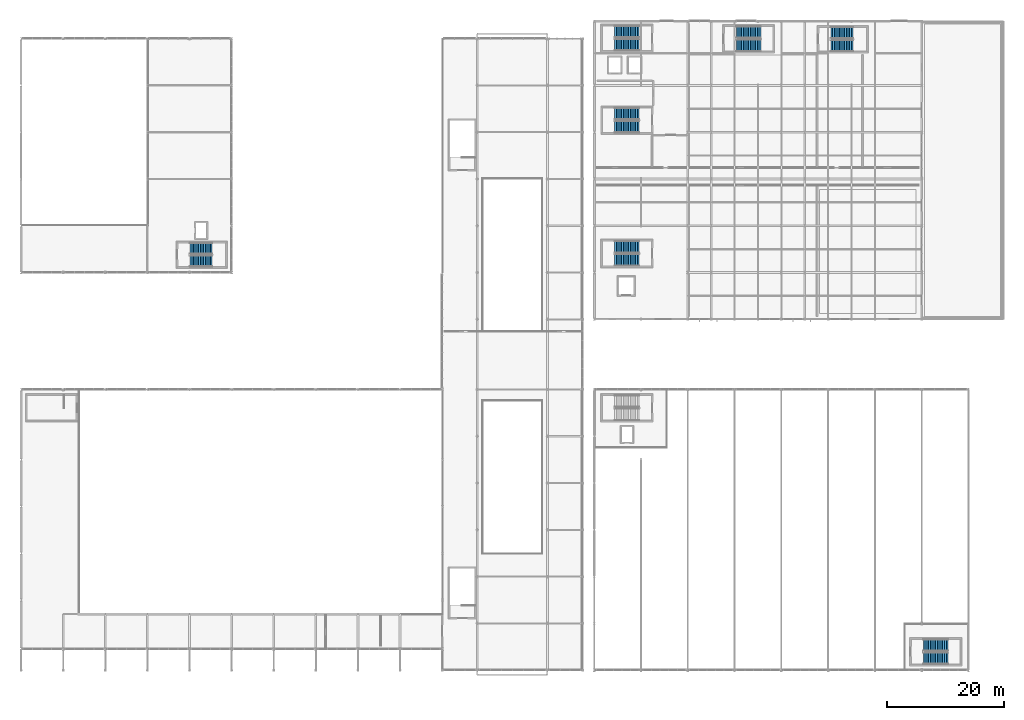
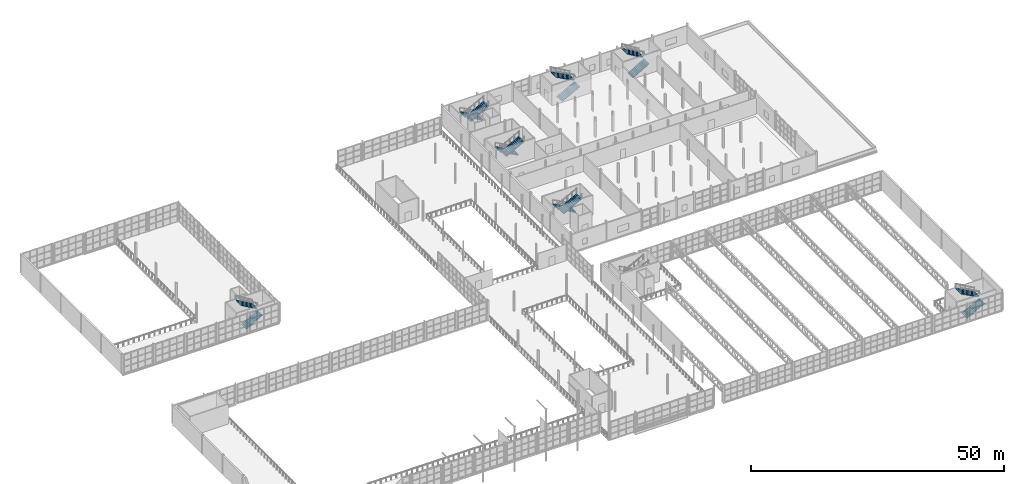
# One storey, part 129 of 143: 14 stair flights, 7 elements without a shape of their own.
"""IFC4 building model written with IfcOpenShell, lengths in metres."""

from ifc_helpers import new_model, si_unit, derived_unit, direction, frame, origin, place, context, subcontext, project, spatial, polyline, outline, extrude, material, type_object, element, aggregate, save


model = new_model("IFC4")

# Units and contexts
model_context = context("Model", 3, precision=1e-05, world=origin(), true_north=direction((0.0, 1.0)))
body_context = subcontext(model_context, "Body", "Model", "MODEL_VIEW")
ifc_project = project(units=[si_unit("LENGTHUNIT", "METRE"), si_unit("AREAUNIT", "SQUARE_METRE"), si_unit("VOLUMEUNIT", "CUBIC_METRE"), si_unit("PLANEANGLEUNIT", "RADIAN"), si_unit("MASSUNIT", "GRAM", prefix="KILO"), derived_unit("THERMALTRANSMITTANCEUNIT", [(si_unit("POWERUNIT", "WATT"), 1), (si_unit("LENGTHUNIT", "METRE"), -2), (si_unit("THERMODYNAMICTEMPERATUREUNIT", "KELVIN"), -1)])], contexts=[model_context])

# Site, building, storey
site_placement = place(None, origin())
site = spatial("IfcSite", under=ifc_project, at=site_placement, CompositionType="ELEMENT")
building_placement = place(site_placement, origin())
building = spatial("IfcBuilding", under=site, at=building_placement, Name="Keldorne Ridge Multi-Sports Centre", CompositionType="ELEMENT")
storey_placement = place(building_placement, frame((0.0, 0.0, 4.800048828125)))
storey = spatial("IfcBuildingStorey", under=building, at=storey_placement, Name="L01", CompositionType="ELEMENT", Elevation=4.800048828125)

# Stair, stair flights
ifc_material = material(Name="Concrete C35/45", Category="concrete")
stair_type = type_object("IfcStairType", Name="STR-S01", PredefinedType="HALF_TURN_STAIR", material=ifc_material)
stair_1_placement = place(storey_placement, origin())
stair_1 = element("IfcStair", 1, at=stair_1_placement, inside=storey, type_object=stair_type, Name="L01 North-East Primary Clinical Core C1", PredefinedType="HALF_TURN_STAIR")
stair_flight_type = type_object("IfcStairFlightType", Name="STF-F01", PredefinedType="STRAIGHT", material=ifc_material)
stair_flight_1_placement = place(storey_placement, frame((111.699951171875, 115.169921875, 0.0), z_axis=(0.0, 0.0, 1.0), x_axis=(-1.0, 0.0, 0.0)))
stair_flight_1 = element("IfcStairFlight", 2, at=stair_flight_1_placement, type_object=stair_flight_type, Name="ST-01 flight 1", NumberOfRisers=15, NumberOfTreads=14, PredefinedType="STRAIGHT", RiserHeight=0.16, TreadLength=0.3, context=body_context, shape_type="SweptSolid", body=[
    extrude(outline(polyline([(0.0, 0.0), (0.0, 0.159912109375), (0.300048828125, 0.159912109375), (0.300048828125, 0.320068359375), (0.60009765625, 0.320068359375), (0.60009765625, 0.47998046875), (0.89990234375, 0.47998046875), (0.89990234375, 0.639892578125), (1.199951171875, 0.639892578125), (1.199951171875, 0.800048828125), (1.5, 0.800048828125), (1.5, 0.9599609375), (1.800048828125, 0.9599609375), (1.800048828125, 1.1201171875), (2.10009765625, 1.1201171875), (2.10009765625, 1.280029296875), (2.39990234375, 1.280029296875), (2.39990234375, 1.43994140625), (2.699951171875, 1.43994140625), (2.699951171875, 1.60009765625), (3.0, 1.60009765625), (3.0, 1.760009765625), (3.300048828125, 1.760009765625), (3.300048828125, 1.919921875), (3.60009765625, 1.919921875), (3.60009765625, 2.080078125), (3.89990234375, 2.080078125), (3.89990234375, 2.239990234375), (4.199951171875, 2.239990234375), (4.199951171875, 2.39990234375), (4.199951171875, 2.070068359375), (0.318603515625, 0.0), (0.0, 0.0)])), frame((0.0, 1.030029296875, 0.0), z_axis=(0.0, -1.0, 0.0), x_axis=(1.0, 0.0, 0.0)), (0.0, 0.0, 1.0), 2.06005859375),
])
stair_flight_2_placement = place(storey_placement, frame((107.5, 112.929931640625, 2.39990234375), z_axis=(0.0, 0.0, 1.0), x_axis=(1.0, 0.0, 0.0)))
stair_flight_2 = element("IfcStairFlight", 3, at=stair_flight_2_placement, type_object=stair_flight_type, Name="ST-01 flight 2", NumberOfRisers=15, NumberOfTreads=14, PredefinedType="STRAIGHT", RiserHeight=0.16, TreadLength=0.3, context=body_context, shape_type="SweptSolid", body=[
    extrude(outline(polyline([(0.0, 0.0), (0.0, 0.159912109375), (0.300048828125, 0.159912109375), (0.300048828125, 0.320068359375), (0.60009765625, 0.320068359375), (0.60009765625, 0.47998046875), (0.89990234375, 0.47998046875), (0.89990234375, 0.639892578125), (1.199951171875, 0.639892578125), (1.199951171875, 0.800048828125), (1.5, 0.800048828125), (1.5, 0.9599609375), (1.800048828125, 0.9599609375), (1.800048828125, 1.1201171875), (2.10009765625, 1.1201171875), (2.10009765625, 1.280029296875), (2.39990234375, 1.280029296875), (2.39990234375, 1.43994140625), (2.699951171875, 1.43994140625), (2.699951171875, 1.60009765625), (3.0, 1.60009765625), (3.0, 1.760009765625), (3.300048828125, 1.760009765625), (3.300048828125, 1.919921875), (3.60009765625, 1.919921875), (3.60009765625, 2.080078125), (3.89990234375, 2.080078125), (3.89990234375, 2.239990234375), (4.199951171875, 2.239990234375), (4.199951171875, 2.39990234375), (4.199951171875, 2.070068359375), (0.318603515625, 0.0), (0.0, 0.0)])), frame((0.0, 1.030029296875, 0.0), z_axis=(0.0, -1.0, 0.0), x_axis=(1.0, 0.0, 0.0)), (0.0, 0.0, 1.0), 2.06005859375),
])
aggregate(stair_1, [stair_flight_1, stair_flight_2])

stair_2_placement = place(storey_placement, origin())
stair_2 = element("IfcStair", 4, at=stair_2_placement, inside=storey, type_object=stair_type, Name="L01 East Wing South Core C2", PredefinedType="HALF_TURN_STAIR")
stair_flight_3_placement = place(storey_placement, frame((111.699951171875, 78.3701171875, 0.0), z_axis=(0.0, 0.0, 1.0), x_axis=(-1.0, 0.0, 0.0)))
stair_flight_3 = element("IfcStairFlight", 5, at=stair_flight_3_placement, type_object=stair_flight_type, Name="ST-02 flight 1", NumberOfRisers=15, NumberOfTreads=14, PredefinedType="STRAIGHT", RiserHeight=0.16, TreadLength=0.3, context=body_context, shape_type="SweptSolid", body=[
    extrude(outline(polyline([(0.0, 0.0), (0.0, 0.159912109375), (0.300048828125, 0.159912109375), (0.300048828125, 0.320068359375), (0.60009765625, 0.320068359375), (0.60009765625, 0.47998046875), (0.89990234375, 0.47998046875), (0.89990234375, 0.639892578125), (1.199951171875, 0.639892578125), (1.199951171875, 0.800048828125), (1.5, 0.800048828125), (1.5, 0.9599609375), (1.800048828125, 0.9599609375), (1.800048828125, 1.1201171875), (2.10009765625, 1.1201171875), (2.10009765625, 1.280029296875), (2.39990234375, 1.280029296875), (2.39990234375, 1.43994140625), (2.699951171875, 1.43994140625), (2.699951171875, 1.60009765625), (3.0, 1.60009765625), (3.0, 1.760009765625), (3.300048828125, 1.760009765625), (3.300048828125, 1.919921875), (3.60009765625, 1.919921875), (3.60009765625, 2.080078125), (3.89990234375, 2.080078125), (3.89990234375, 2.239990234375), (4.199951171875, 2.239990234375), (4.199951171875, 2.39990234375), (4.199951171875, 2.070068359375), (0.318603515625, 0.0), (0.0, 0.0)])), frame((0.0, 1.030029296875, 0.0), z_axis=(0.0, -1.0, 0.0), x_axis=(1.0, 0.0, 0.0)), (0.0, 0.0, 1.0), 2.06005859375),
])
stair_flight_4_placement = place(storey_placement, frame((107.5, 76.1298828125, 2.39990234375), z_axis=(0.0, 0.0, 1.0), x_axis=(1.0, 0.0, 0.0)))
stair_flight_4 = element("IfcStairFlight", 6, at=stair_flight_4_placement, type_object=stair_flight_type, Name="ST-02 flight 2", NumberOfRisers=15, NumberOfTreads=14, PredefinedType="STRAIGHT", RiserHeight=0.16, TreadLength=0.3, context=body_context, shape_type="SweptSolid", body=[
    extrude(outline(polyline([(0.0, 0.0), (0.0, 0.159912109375), (0.300048828125, 0.159912109375), (0.300048828125, 0.320068359375), (0.60009765625, 0.320068359375), (0.60009765625, 0.47998046875), (0.89990234375, 0.47998046875), (0.89990234375, 0.639892578125), (1.199951171875, 0.639892578125), (1.199951171875, 0.800048828125), (1.5, 0.800048828125), (1.5, 0.9599609375), (1.800048828125, 0.9599609375), (1.800048828125, 1.1201171875), (2.10009765625, 1.1201171875), (2.10009765625, 1.280029296875), (2.39990234375, 1.280029296875), (2.39990234375, 1.43994140625), (2.699951171875, 1.43994140625), (2.699951171875, 1.60009765625), (3.0, 1.60009765625), (3.0, 1.760009765625), (3.300048828125, 1.760009765625), (3.300048828125, 1.919921875), (3.60009765625, 1.919921875), (3.60009765625, 2.080078125), (3.89990234375, 2.080078125), (3.89990234375, 2.239990234375), (4.199951171875, 2.239990234375), (4.199951171875, 2.39990234375), (4.199951171875, 2.070068359375), (0.318603515625, 0.0), (0.0, 0.0)])), frame((0.0, 1.030029296875, 0.0), z_axis=(0.0, -1.0, 0.0), x_axis=(1.0, 0.0, 0.0)), (0.0, 0.0, 1.0), 2.06005859375),
])
aggregate(stair_2, [stair_flight_3, stair_flight_4])

stair_3_placement = place(storey_placement, origin())
stair_3 = element("IfcStair", 7, at=stair_3_placement, inside=storey, type_object=stair_type, Name="L01 East Wing Studio Core C3", PredefinedType="HALF_TURN_STAIR")
stair_flight_5_placement = place(storey_placement, frame((144.5, 112.800048828125, 0.0), z_axis=(0.0, 0.0, 1.0), x_axis=(1.0, 0.0, 0.0)))
stair_flight_5 = element("IfcStairFlight", 8, at=stair_flight_5_placement, type_object=stair_flight_type, Name="ST-03 flight 1", NumberOfRisers=14, NumberOfTreads=13, PredefinedType="STRAIGHT", RiserHeight=0.171428571, TreadLength=0.29, context=body_context, shape_type="SweptSolid", body=[
    extrude(outline(polyline([(0.0, 0.0), (0.0, 0.17138671875), (0.2900390625, 0.17138671875), (0.2900390625, 0.3427734375), (0.580078125, 0.3427734375), (0.580078125, 0.514404296875), (0.8701171875, 0.514404296875), (0.8701171875, 0.685791015625), (1.159912109375, 0.685791015625), (1.159912109375, 0.857177734375), (1.449951171875, 0.857177734375), (1.449951171875, 1.028564453125), (1.739990234375, 1.028564453125), (1.739990234375, 1.199951171875), (2.030029296875, 1.199951171875), (2.030029296875, 1.371337890625), (2.320068359375, 1.371337890625), (2.320068359375, 1.54296875), (2.610107421875, 1.54296875), (2.610107421875, 1.71435546875), (2.89990234375, 1.71435546875), (2.89990234375, 1.8857421875), (3.18994140625, 1.8857421875), (3.18994140625, 2.05712890625), (3.47998046875, 2.05712890625), (3.47998046875, 2.228515625), (3.77001953125, 2.228515625), (3.77001953125, 2.39990234375), (3.77001953125, 2.054443359375), (0.294677734375, 0.0), (0.0, 0.0)])), frame((0.0, 1.0, 0.0), z_axis=(0.0, -1.0, 0.0), x_axis=(1.0, 0.0, 0.0)), (0.0, 0.0, 1.0), 2.0),
])
stair_flight_6_placement = place(storey_placement, frame((148.27001953125, 114.97998046875, 2.39990234375), z_axis=(0.0, 0.0, 1.0), x_axis=(-1.0, 0.0, 0.0)))
stair_flight_6 = element("IfcStairFlight", 9, at=stair_flight_6_placement, type_object=stair_flight_type, Name="ST-03 flight 2", NumberOfRisers=14, NumberOfTreads=13, PredefinedType="STRAIGHT", RiserHeight=0.171428571, TreadLength=0.29, context=body_context, shape_type="SweptSolid", body=[
    extrude(outline(polyline([(0.0, 0.0), (0.0, 0.17138671875), (0.2900390625, 0.17138671875), (0.2900390625, 0.3427734375), (0.580078125, 0.3427734375), (0.580078125, 0.514404296875), (0.8701171875, 0.514404296875), (0.8701171875, 0.685791015625), (1.159912109375, 0.685791015625), (1.159912109375, 0.857177734375), (1.449951171875, 0.857177734375), (1.449951171875, 1.028564453125), (1.739990234375, 1.028564453125), (1.739990234375, 1.199951171875), (2.030029296875, 1.199951171875), (2.030029296875, 1.371337890625), (2.320068359375, 1.371337890625), (2.320068359375, 1.54296875), (2.610107421875, 1.54296875), (2.610107421875, 1.71435546875), (2.89990234375, 1.71435546875), (2.89990234375, 1.8857421875), (3.18994140625, 1.8857421875), (3.18994140625, 2.05712890625), (3.47998046875, 2.05712890625), (3.47998046875, 2.228515625), (3.77001953125, 2.228515625), (3.77001953125, 2.39990234375), (3.77001953125, 2.054443359375), (0.294677734375, 0.0), (0.0, 0.0)])), frame((0.0, 1.0, 0.0), z_axis=(0.0, -1.0, 0.0), x_axis=(1.0, 0.0, 0.0)), (0.0, 0.0, 1.0), 2.0),
])
aggregate(stair_3, [stair_flight_5, stair_flight_6])

stair_4_placement = place(storey_placement, origin())
stair_4 = element("IfcStair", 10, at=stair_4_placement, inside=storey, type_object=stair_type, Name="L01 South-East Courts Escape Core C5", PredefinedType="HALF_TURN_STAIR")
stair_flight_7_placement = place(storey_placement, frame((160.300048828125, 8.030029296875, 0.0), z_axis=(0.0, 0.0, 1.0), x_axis=(1.0, 0.0, 0.0)))
stair_flight_7 = element("IfcStairFlight", 11, at=stair_flight_7_placement, type_object=stair_flight_type, Name="ST-05 flight 1", NumberOfRisers=15, NumberOfTreads=14, PredefinedType="STRAIGHT", RiserHeight=0.16, TreadLength=0.3, context=body_context, shape_type="SweptSolid", body=[
    extrude(outline(polyline([(0.0, 0.0), (0.0, 0.159912109375), (0.300048828125, 0.159912109375), (0.300048828125, 0.320068359375), (0.60009765625, 0.320068359375), (0.60009765625, 0.47998046875), (0.89990234375, 0.47998046875), (0.89990234375, 0.639892578125), (1.199951171875, 0.639892578125), (1.199951171875, 0.800048828125), (1.5, 0.800048828125), (1.5, 0.9599609375), (1.800048828125, 0.9599609375), (1.800048828125, 1.1201171875), (2.10009765625, 1.1201171875), (2.10009765625, 1.280029296875), (2.39990234375, 1.280029296875), (2.39990234375, 1.43994140625), (2.699951171875, 1.43994140625), (2.699951171875, 1.60009765625), (3.0, 1.60009765625), (3.0, 1.760009765625), (3.300048828125, 1.760009765625), (3.300048828125, 1.919921875), (3.60009765625, 1.919921875), (3.60009765625, 2.080078125), (3.89990234375, 2.080078125), (3.89990234375, 2.239990234375), (4.199951171875, 2.239990234375), (4.199951171875, 2.39990234375), (4.199951171875, 2.070068359375), (0.318603515625, 0.0), (0.0, 0.0)])), frame((0.0, 1.030029296875, 0.0), z_axis=(0.0, -1.0, 0.0), x_axis=(1.0, 0.0, 0.0)), (0.0, 0.0, 1.0), 2.06005859375),
])
stair_flight_8_placement = place(storey_placement, frame((164.5, 10.27001953125, 2.39990234375), z_axis=(0.0, 0.0, 1.0), x_axis=(-1.0, 0.0, 0.0)))
stair_flight_8 = element("IfcStairFlight", 12, at=stair_flight_8_placement, type_object=stair_flight_type, Name="ST-05 flight 2", NumberOfRisers=15, NumberOfTreads=14, PredefinedType="STRAIGHT", RiserHeight=0.16, TreadLength=0.3, context=body_context, shape_type="SweptSolid", body=[
    extrude(outline(polyline([(0.0, 0.0), (0.0, 0.159912109375), (0.300048828125, 0.159912109375), (0.300048828125, 0.320068359375), (0.60009765625, 0.320068359375), (0.60009765625, 0.47998046875), (0.89990234375, 0.47998046875), (0.89990234375, 0.639892578125), (1.199951171875, 0.639892578125), (1.199951171875, 0.800048828125), (1.5, 0.800048828125), (1.5, 0.9599609375), (1.800048828125, 0.9599609375), (1.800048828125, 1.1201171875), (2.10009765625, 1.1201171875), (2.10009765625, 1.280029296875), (2.39990234375, 1.280029296875), (2.39990234375, 1.43994140625), (2.699951171875, 1.43994140625), (2.699951171875, 1.60009765625), (3.0, 1.60009765625), (3.0, 1.760009765625), (3.300048828125, 1.760009765625), (3.300048828125, 1.919921875), (3.60009765625, 1.919921875), (3.60009765625, 2.080078125), (3.89990234375, 2.080078125), (3.89990234375, 2.239990234375), (4.199951171875, 2.239990234375), (4.199951171875, 2.39990234375), (4.199951171875, 2.070068359375), (0.318603515625, 0.0), (0.0, 0.0)])), frame((0.0, 1.030029296875, 0.0), z_axis=(0.0, -1.0, 0.0), x_axis=(1.0, 0.0, 0.0)), (0.0, 0.0, 1.0), 2.06005859375),
])
aggregate(stair_4, [stair_flight_7, stair_flight_8])

stair_5_placement = place(storey_placement, origin())
stair_5 = element("IfcStair", 13, at=stair_5_placement, inside=storey, type_object=stair_type, Name="L01 Climbing & Concourse Core C6", PredefinedType="HALF_TURN_STAIR")
stair_flight_9_placement = place(storey_placement, frame((34.89990234375, 75.97509765625, 0.0), z_axis=(0.0, 0.0, 1.0), x_axis=(1.0, 0.0, 0.0)))
stair_flight_9 = element("IfcStairFlight", 14, at=stair_flight_9_placement, type_object=stair_flight_type, Name="ST-06 flight 1", NumberOfRisers=14, NumberOfTreads=13, PredefinedType="STRAIGHT", RiserHeight=0.171428571, TreadLength=0.29, context=body_context, shape_type="SweptSolid", body=[
    extrude(outline(polyline([(0.0, 0.0), (0.0, 0.17138671875), (0.2900390625, 0.17138671875), (0.2900390625, 0.3427734375), (0.580078125, 0.3427734375), (0.580078125, 0.514404296875), (0.8701171875, 0.514404296875), (0.8701171875, 0.685791015625), (1.159912109375, 0.685791015625), (1.159912109375, 0.857177734375), (1.449951171875, 0.857177734375), (1.449951171875, 1.028564453125), (1.739990234375, 1.028564453125), (1.739990234375, 1.199951171875), (2.030029296875, 1.199951171875), (2.030029296875, 1.371337890625), (2.320068359375, 1.371337890625), (2.320068359375, 1.54296875), (2.610107421875, 1.54296875), (2.610107421875, 1.71435546875), (2.89990234375, 1.71435546875), (2.89990234375, 1.8857421875), (3.18994140625, 1.8857421875), (3.18994140625, 2.05712890625), (3.47998046875, 2.05712890625), (3.47998046875, 2.228515625), (3.77001953125, 2.228515625), (3.77001953125, 2.39990234375), (3.77001953125, 2.054443359375), (0.294677734375, 0.0), (0.0, 0.0)])), frame((0.0, 0.97509765625, 0.0), z_axis=(0.0, -1.0, 0.0), x_axis=(1.0, 0.0, 0.0)), (0.0, 0.0, 1.0), 1.949951171875),
])
stair_flight_10_placement = place(storey_placement, frame((38.669921875, 78.10498046875, 2.39990234375), z_axis=(0.0, 0.0, 1.0), x_axis=(-1.0, 0.0, 0.0)))
stair_flight_10 = element("IfcStairFlight", 15, at=stair_flight_10_placement, type_object=stair_flight_type, Name="ST-06 flight 2", NumberOfRisers=14, NumberOfTreads=13, PredefinedType="STRAIGHT", RiserHeight=0.171428571, TreadLength=0.29, context=body_context, shape_type="SweptSolid", body=[
    extrude(outline(polyline([(0.0, 0.0), (0.0, 0.17138671875), (0.2900390625, 0.17138671875), (0.2900390625, 0.3427734375), (0.580078125, 0.3427734375), (0.580078125, 0.514404296875), (0.8701171875, 0.514404296875), (0.8701171875, 0.685791015625), (1.159912109375, 0.685791015625), (1.159912109375, 0.857177734375), (1.449951171875, 0.857177734375), (1.449951171875, 1.028564453125), (1.739990234375, 1.028564453125), (1.739990234375, 1.199951171875), (2.030029296875, 1.199951171875), (2.030029296875, 1.371337890625), (2.320068359375, 1.371337890625), (2.320068359375, 1.54296875), (2.610107421875, 1.54296875), (2.610107421875, 1.71435546875), (2.89990234375, 1.71435546875), (2.89990234375, 1.8857421875), (3.18994140625, 1.8857421875), (3.18994140625, 2.05712890625), (3.47998046875, 2.05712890625), (3.47998046875, 2.228515625), (3.77001953125, 2.228515625), (3.77001953125, 2.39990234375), (3.77001953125, 2.054443359375), (0.294677734375, 0.0), (0.0, 0.0)])), frame((0.0, 0.97509765625, 0.0), z_axis=(0.0, -1.0, 0.0), x_axis=(1.0, 0.0, 0.0)), (0.0, 0.0, 1.0), 1.949951171875),
])
aggregate(stair_5, [stair_flight_9, stair_flight_10])

stair_6_placement = place(storey_placement, origin())
stair_6 = element("IfcStair", 16, at=stair_6_placement, inside=storey, type_object=stair_type, Name="L01 Upper Studio Escape Stair ST-10", PredefinedType="HALF_TURN_STAIR")
stair_flight_11_placement = place(storey_placement, frame((128.300048828125, 112.830078125, 0.0), z_axis=(0.0, 0.0, 1.0), x_axis=(1.0, 0.0, 0.0)))
stair_flight_11 = element("IfcStairFlight", 17, at=stair_flight_11_placement, type_object=stair_flight_type, Name="ST-10 flight 1", NumberOfRisers=15, NumberOfTreads=14, PredefinedType="STRAIGHT", RiserHeight=0.16, TreadLength=0.3, context=body_context, shape_type="SweptSolid", body=[
    extrude(outline(polyline([(0.0, 0.0), (0.0, 0.159912109375), (0.300048828125, 0.159912109375), (0.300048828125, 0.320068359375), (0.60009765625, 0.320068359375), (0.60009765625, 0.47998046875), (0.89990234375, 0.47998046875), (0.89990234375, 0.639892578125), (1.199951171875, 0.639892578125), (1.199951171875, 0.800048828125), (1.5, 0.800048828125), (1.5, 0.9599609375), (1.800048828125, 0.9599609375), (1.800048828125, 1.1201171875), (2.10009765625, 1.1201171875), (2.10009765625, 1.280029296875), (2.39990234375, 1.280029296875), (2.39990234375, 1.43994140625), (2.699951171875, 1.43994140625), (2.699951171875, 1.60009765625), (3.0, 1.60009765625), (3.0, 1.760009765625), (3.300048828125, 1.760009765625), (3.300048828125, 1.919921875), (3.60009765625, 1.919921875), (3.60009765625, 2.080078125), (3.89990234375, 2.080078125), (3.89990234375, 2.239990234375), (4.199951171875, 2.239990234375), (4.199951171875, 2.39990234375), (4.199951171875, 2.070068359375), (0.318603515625, 0.0), (0.0, 0.0)])), frame((0.0, 1.030029296875, 0.0), z_axis=(0.0, -1.0, 0.0), x_axis=(1.0, 0.0, 0.0)), (0.0, 0.0, 1.0), 2.06005859375),
])
stair_flight_12_placement = place(storey_placement, frame((132.5, 115.070068359375, 2.39990234375), z_axis=(0.0, 0.0, 1.0), x_axis=(-1.0, 0.0, 0.0)))
stair_flight_12 = element("IfcStairFlight", 18, at=stair_flight_12_placement, type_object=stair_flight_type, Name="ST-10 flight 2", NumberOfRisers=15, NumberOfTreads=14, PredefinedType="STRAIGHT", RiserHeight=0.16, TreadLength=0.3, context=body_context, shape_type="SweptSolid", body=[
    extrude(outline(polyline([(0.0, 0.0), (0.0, 0.159912109375), (0.300048828125, 0.159912109375), (0.300048828125, 0.320068359375), (0.60009765625, 0.320068359375), (0.60009765625, 0.47998046875), (0.89990234375, 0.47998046875), (0.89990234375, 0.639892578125), (1.199951171875, 0.639892578125), (1.199951171875, 0.800048828125), (1.5, 0.800048828125), (1.5, 0.9599609375), (1.800048828125, 0.9599609375), (1.800048828125, 1.1201171875), (2.10009765625, 1.1201171875), (2.10009765625, 1.280029296875), (2.39990234375, 1.280029296875), (2.39990234375, 1.43994140625), (2.699951171875, 1.43994140625), (2.699951171875, 1.60009765625), (3.0, 1.60009765625), (3.0, 1.760009765625), (3.300048828125, 1.760009765625), (3.300048828125, 1.919921875), (3.60009765625, 1.919921875), (3.60009765625, 2.080078125), (3.89990234375, 2.080078125), (3.89990234375, 2.239990234375), (4.199951171875, 2.239990234375), (4.199951171875, 2.39990234375), (4.199951171875, 2.070068359375), (0.318603515625, 0.0), (0.0, 0.0)])), frame((0.0, 1.030029296875, 0.0), z_axis=(0.0, -1.0, 0.0), x_axis=(1.0, 0.0, 0.0)), (0.0, 0.0, 1.0), 2.06005859375),
])
aggregate(stair_6, [stair_flight_11, stair_flight_12])

stair_7_placement = place(storey_placement, origin())
stair_7 = element("IfcStair", 19, at=stair_7_placement, inside=storey, type_object=stair_type, Name="L01 Mid-Wing Escape Stair ST-11", PredefinedType="HALF_TURN_STAIR")
stair_flight_13_placement = place(storey_placement, frame((111.699951171875, 101.169921875, 0.0), z_axis=(0.0, 0.0, 1.0), x_axis=(-1.0, 0.0, 0.0)))
stair_flight_13 = element("IfcStairFlight", 20, at=stair_flight_13_placement, type_object=stair_flight_type, Name="ST-11 flight 1", NumberOfRisers=15, NumberOfTreads=14, PredefinedType="STRAIGHT", RiserHeight=0.16, TreadLength=0.3, context=body_context, shape_type="SweptSolid", body=[
    extrude(outline(polyline([(0.0, 0.0), (0.0, 0.159912109375), (0.300048828125, 0.159912109375), (0.300048828125, 0.320068359375), (0.60009765625, 0.320068359375), (0.60009765625, 0.47998046875), (0.89990234375, 0.47998046875), (0.89990234375, 0.639892578125), (1.199951171875, 0.639892578125), (1.199951171875, 0.800048828125), (1.5, 0.800048828125), (1.5, 0.9599609375), (1.800048828125, 0.9599609375), (1.800048828125, 1.1201171875), (2.10009765625, 1.1201171875), (2.10009765625, 1.280029296875), (2.39990234375, 1.280029296875), (2.39990234375, 1.43994140625), (2.699951171875, 1.43994140625), (2.699951171875, 1.60009765625), (3.0, 1.60009765625), (3.0, 1.760009765625), (3.300048828125, 1.760009765625), (3.300048828125, 1.919921875), (3.60009765625, 1.919921875), (3.60009765625, 2.080078125), (3.89990234375, 2.080078125), (3.89990234375, 2.239990234375), (4.199951171875, 2.239990234375), (4.199951171875, 2.39990234375), (4.199951171875, 2.070068359375), (0.318603515625, 0.0), (0.0, 0.0)])), frame((0.0, 1.030029296875, 0.0), z_axis=(0.0, -1.0, 0.0), x_axis=(1.0, 0.0, 0.0)), (0.0, 0.0, 1.0), 2.06005859375),
])
stair_flight_14_placement = place(storey_placement, frame((107.5, 98.929931640625, 2.39990234375), z_axis=(0.0, 0.0, 1.0), x_axis=(1.0, 0.0, 0.0)))
stair_flight_14 = element("IfcStairFlight", 21, at=stair_flight_14_placement, type_object=stair_flight_type, Name="ST-11 flight 2", NumberOfRisers=15, NumberOfTreads=14, PredefinedType="STRAIGHT", RiserHeight=0.16, TreadLength=0.3, context=body_context, shape_type="SweptSolid", body=[
    extrude(outline(polyline([(0.0, 0.0), (0.0, 0.159912109375), (0.300048828125, 0.159912109375), (0.300048828125, 0.320068359375), (0.60009765625, 0.320068359375), (0.60009765625, 0.47998046875), (0.89990234375, 0.47998046875), (0.89990234375, 0.639892578125), (1.199951171875, 0.639892578125), (1.199951171875, 0.800048828125), (1.5, 0.800048828125), (1.5, 0.9599609375), (1.800048828125, 0.9599609375), (1.800048828125, 1.1201171875), (2.10009765625, 1.1201171875), (2.10009765625, 1.280029296875), (2.39990234375, 1.280029296875), (2.39990234375, 1.43994140625), (2.699951171875, 1.43994140625), (2.699951171875, 1.60009765625), (3.0, 1.60009765625), (3.0, 1.760009765625), (3.300048828125, 1.760009765625), (3.300048828125, 1.919921875), (3.60009765625, 1.919921875), (3.60009765625, 2.080078125), (3.89990234375, 2.080078125), (3.89990234375, 2.239990234375), (4.199951171875, 2.239990234375), (4.199951171875, 2.39990234375), (4.199951171875, 2.070068359375), (0.318603515625, 0.0), (0.0, 0.0)])), frame((0.0, 1.030029296875, 0.0), z_axis=(0.0, -1.0, 0.0), x_axis=(1.0, 0.0, 0.0)), (0.0, 0.0, 1.0), 2.06005859375),
])
aggregate(stair_7, [stair_flight_13, stair_flight_14])

save(model, "model.ifc")
